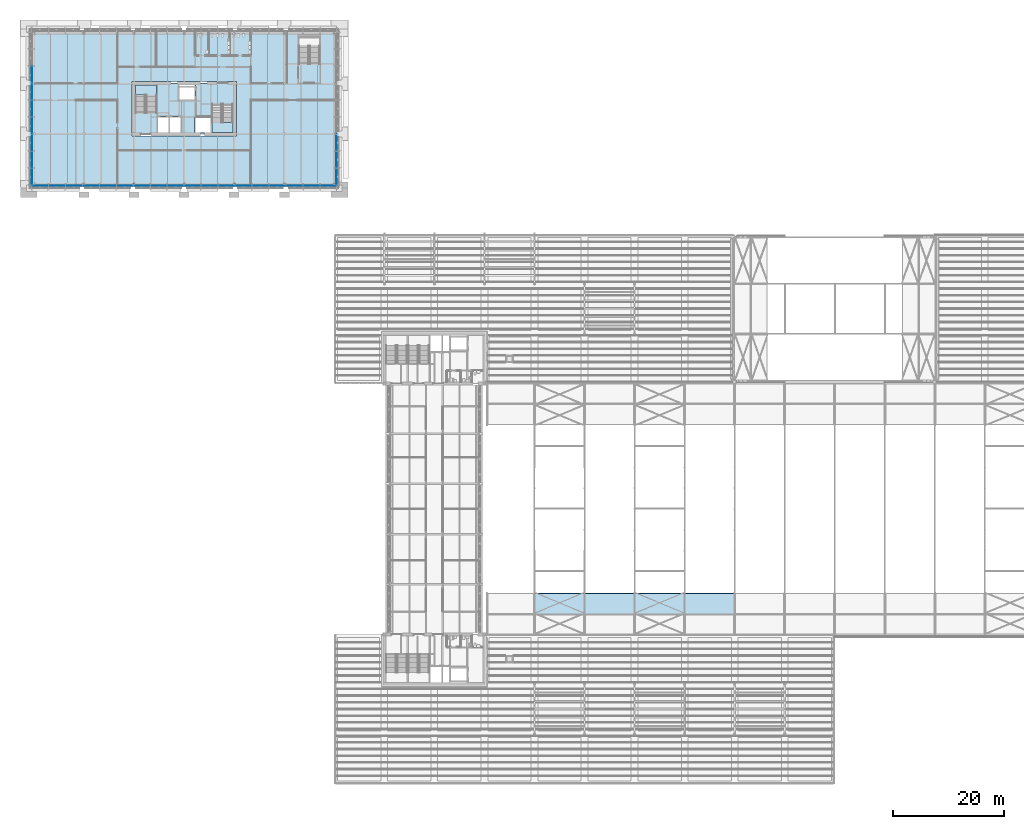
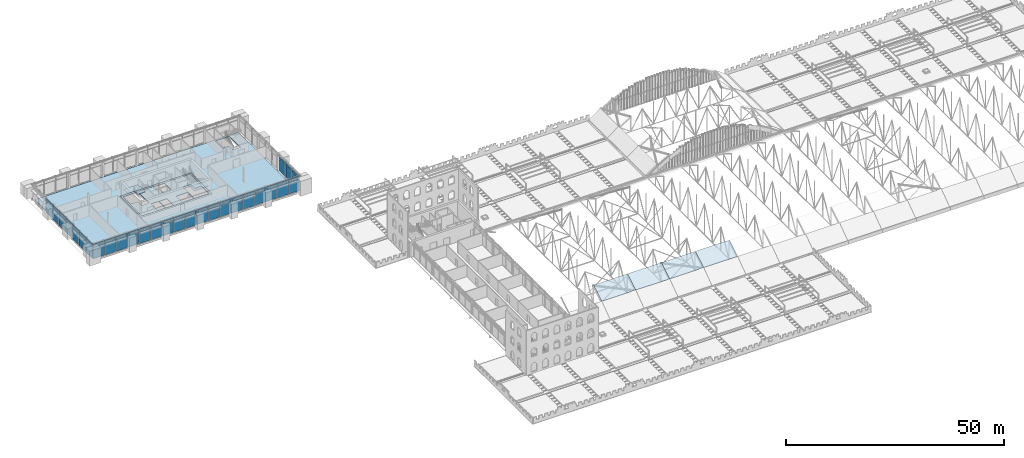
# One storey, part 93 of 153: 56 plates, 8 slabs, 5 elements without a shape of their own.
"""IFC4 building model written with IfcOpenShell, lengths in metres."""

from ifc_helpers import new_model, si_unit, direction, frame, origin, origin_2d, place, context, subcontext, project, spatial, polyline, rectangle, outline, extrude, material, layer, layer_set, type_object, element, aggregate, save


model = new_model("IFC4")

# Units and contexts
model_context = context("Model", 3, precision=1e-05, world=origin(), true_north=direction((0.0, 1.0)))
body_context = subcontext(model_context, "Body", "Model", "MODEL_VIEW")
ifc_project = project(units=[si_unit("LENGTHUNIT", "METRE"), si_unit("AREAUNIT", "SQUARE_METRE"), si_unit("VOLUMEUNIT", "CUBIC_METRE"), si_unit("PLANEANGLEUNIT", "RADIAN"), si_unit("MASSUNIT", "GRAM", prefix="KILO")], contexts=[model_context])

# Site, building, storey
site_placement = place(None, origin())
site = spatial("IfcSite", under=ifc_project, at=site_placement, CompositionType="ELEMENT")
building_placement = place(site_placement, origin())
building = spatial("IfcBuilding", under=site, at=building_placement, Name="Baradari Gate Terminus", CompositionType="ELEMENT")
storey_placement = place(building_placement, frame((0.0, 0.0, 11.699951171875)))
storey = spatial("IfcBuildingStorey", under=building, at=storey_placement, Name="L02", CompositionType="ELEMENT", Elevation=11.699951171875)

# Slabs
ifc_material_1 = material(Name="Concrete C35/45", Category="concrete")
ifc_layer_1 = layer(ifc_material_1, 0.1298828125)
ifc_layer_set_1 = layer_set([ifc_layer_1], Name="Concrete C35/45")
slab_type_1 = type_object("IfcSlabType", Name="Composite floor slab SL1 130", PredefinedType="FLOOR", material=ifc_layer_set_1)
slab_1_placement = place(storey_placement, frame((0.0, 0.0, -0.1298828125)))
element("IfcSlab", 1, at=slab_1_placement, inside=storey, type_object=slab_type_1, Name="Block floor", PredefinedType="FLOOR", context=body_context, shape_type="SweptSolid", body=[
    extrude(outline(polyline([(63.0, 117.0), (63.0, 144.0), (9.0, 144.0), (9.0, 117.0), (63.0, 117.0)]), holes=[polyline([(56.60009765625, 143.60009765625), (56.60009765625, 140.320068359375), (58.39990234375, 140.320068359375), (58.39990234375, 138.5), (60.39990234375, 138.5), (60.39990234375, 143.60009765625), (56.60009765625, 143.60009765625)]), polyline([(45.375, 134.77490234375), (45.375, 135.375), (26.625, 135.375), (26.625, 134.77490234375), (26.625, 126.22509765625), (26.625, 125.625), (45.375, 125.625), (45.375, 126.22509765625), (45.375, 134.77490234375)])]), origin(), (0.0, 0.0, 1.0), 0.1298828125),
])
slab_2_placement = place(storey_placement, frame((0.0, 0.0, -0.1298828125)))
element("IfcSlab", 2, at=slab_2_placement, inside=storey, type_object=slab_type_1, Name="Core floor CT", PredefinedType="FLOOR", context=body_context, shape_type="SweptSolid", body=[
    extrude(outline(polyline([(27.0, 135.0), (27.0, 126.0), (45.0, 126.0), (45.0, 135.0), (27.0, 135.0)]), holes=[polyline([(44.77490234375, 126.22509765625), (44.77490234375, 129.5048828125), (42.97509765625, 129.5048828125), (42.97509765625, 131.324951171875), (40.97509765625, 131.324951171875), (40.97509765625, 126.22509765625), (44.77490234375, 126.22509765625)]), polyline([(40.77490234375, 128.925048828125), (37.824951171875, 128.925048828125), (37.824951171875, 126.22509765625), (40.77490234375, 126.22509765625), (40.77490234375, 128.925048828125)]), polyline([(38.02490234375, 131.875), (38.02490234375, 134.77490234375), (35.125, 134.77490234375), (35.125, 131.875), (38.02490234375, 131.875)]), polyline([(35.425048828125, 129.125), (33.425048828125, 129.125), (33.425048828125, 126.22509765625), (35.425048828125, 126.22509765625), (35.425048828125, 129.125)]), polyline([(31.22509765625, 129.125), (31.22509765625, 126.22509765625), (33.22509765625, 126.22509765625), (33.22509765625, 129.125), (31.22509765625, 129.125)]), polyline([(27.22509765625, 134.77490234375), (27.22509765625, 131.4951171875), (29.02490234375, 131.4951171875), (29.02490234375, 129.675048828125), (31.02490234375, 129.675048828125), (31.02490234375, 134.77490234375), (27.22509765625, 134.77490234375)])]), origin(), (0.0, 0.0, 1.0), 0.1298828125),
])

# Curtain wall, plates
ifc_material_2 = material(Name="Aluminium 6063-T6", Category="aluminium")
curtain_wall_type = type_object("IfcCurtainWallType", Name="Curtain wall CW-1 block unitised, zone L02-L05", PredefinedType="NOTDEFINED", material=ifc_material_2)
curtain_wall_1_placement = place(storey_placement, origin())
curtain_wall_1 = element("IfcCurtainWall", 3, at=curtain_wall_1_placement, inside=storey, type_object=curtain_wall_type, Name="Curtain wall CW-1 Operations block S face L02", PredefinedType="NOTDEFINED")
ifc_material_3 = material(Name="Insulating glass unit", Category="glass")
ifc_layer_2 = layer(ifc_material_3, 0.030029296875)
ifc_layer_set_2 = layer_set([ifc_layer_2], Name="Insulating glass unit")
plate_type_1 = type_object("IfcPlateType", Name="Curtain wall glazing unit CP-1 30", PredefinedType="CURTAIN_PANEL", material=ifc_layer_set_2)
plate_1_placement = place(storey_placement, frame((10.072265625, 116.6298828125, 0.06494140625), z_axis=(0.0, 0.0, 1.0), x_axis=(1.0, 0.0, 0.0)))
plate_1 = element("IfcPlate", 4, at=plate_1_placement, type_object=plate_type_1, Name="CW-1 panel 1.1", PredefinedType="CURTAIN_PANEL", context=body_context, shape_type="SweptSolid", body=[
    extrude(rectangle(XDim=2.954833984375, YDim=0.030029296875, at=origin_2d()), origin(), (0.0, 0.0, 1.0), 3.202392578125),
])
plate_2_placement = place(storey_placement, frame((13.1083984375, 116.6298828125, 0.06494140625), z_axis=(0.0, 0.0, 1.0), x_axis=(1.0, 0.0, 0.0)))
plate_2 = element("IfcPlate", 5, at=plate_2_placement, type_object=plate_type_1, Name="CW-1 panel 2.1", PredefinedType="CURTAIN_PANEL", context=body_context, shape_type="SweptSolid", body=[
    extrude(rectangle(XDim=2.9873046875, YDim=0.030029296875, at=origin_2d()), origin(), (0.0, 0.0, 1.0), 3.202392578125),
])
plate_3_placement = place(storey_placement, frame((16.16064453125, 116.6298828125, 0.06494140625), z_axis=(0.0, 0.0, 1.0), x_axis=(1.0, 0.0, 0.0)))
plate_3 = element("IfcPlate", 6, at=plate_3_placement, type_object=plate_type_1, Name="CW-1 panel 3.1", PredefinedType="CURTAIN_PANEL", context=body_context, shape_type="SweptSolid", body=[
    extrude(rectangle(XDim=2.9873046875, YDim=0.030029296875, at=origin_2d()), origin(), (0.0, 0.0, 1.0), 3.202392578125),
])
plate_4_placement = place(storey_placement, frame((19.212890625, 116.6298828125, 0.06494140625), z_axis=(0.0, 0.0, 1.0), x_axis=(1.0, 0.0, 0.0)))
plate_4 = element("IfcPlate", 7, at=plate_4_placement, type_object=plate_type_1, Name="CW-1 panel 4.1", PredefinedType="CURTAIN_PANEL", context=body_context, shape_type="SweptSolid", body=[
    extrude(rectangle(XDim=2.9873046875, YDim=0.030029296875, at=origin_2d()), origin(), (0.0, 0.0, 1.0), 3.202392578125),
])
plate_5_placement = place(storey_placement, frame((22.264892578125, 116.6298828125, 0.06494140625), z_axis=(0.0, 0.0, 1.0), x_axis=(1.0, 0.0, 0.0)))
plate_5 = element("IfcPlate", 8, at=plate_5_placement, type_object=plate_type_1, Name="CW-1 panel 5.1", PredefinedType="CURTAIN_PANEL", context=body_context, shape_type="SweptSolid", body=[
    extrude(rectangle(XDim=2.9873046875, YDim=0.030029296875, at=origin_2d()), origin(), (0.0, 0.0, 1.0), 3.202392578125),
])
plate_6_placement = place(storey_placement, frame((25.317138671875, 116.6298828125, 0.06494140625), z_axis=(0.0, 0.0, 1.0), x_axis=(1.0, 0.0, 0.0)))
plate_6 = element("IfcPlate", 9, at=plate_6_placement, type_object=plate_type_1, Name="CW-1 panel 6.1", PredefinedType="CURTAIN_PANEL", context=body_context, shape_type="SweptSolid", body=[
    extrude(rectangle(XDim=2.9873046875, YDim=0.030029296875, at=origin_2d()), origin(), (0.0, 0.0, 1.0), 3.202392578125),
])
plate_7_placement = place(storey_placement, frame((28.369384765625, 116.6298828125, 0.06494140625), z_axis=(0.0, 0.0, 1.0), x_axis=(1.0, 0.0, 0.0)))
plate_7 = element("IfcPlate", 10, at=plate_7_placement, type_object=plate_type_1, Name="CW-1 panel 7.1", PredefinedType="CURTAIN_PANEL", context=body_context, shape_type="SweptSolid", body=[
    extrude(rectangle(XDim=2.9873046875, YDim=0.030029296875, at=origin_2d()), origin(), (0.0, 0.0, 1.0), 3.202392578125),
])
plate_8_placement = place(storey_placement, frame((31.421630859375, 116.6298828125, 0.06494140625), z_axis=(0.0, 0.0, 1.0), x_axis=(1.0, 0.0, 0.0)))
plate_8 = element("IfcPlate", 11, at=plate_8_placement, type_object=plate_type_1, Name="CW-1 panel 8.1", PredefinedType="CURTAIN_PANEL", context=body_context, shape_type="SweptSolid", body=[
    extrude(rectangle(XDim=2.9873046875, YDim=0.030029296875, at=origin_2d()), origin(), (0.0, 0.0, 1.0), 3.202392578125),
])
plate_9_placement = place(storey_placement, frame((34.473876953125, 116.6298828125, 0.06494140625), z_axis=(0.0, 0.0, 1.0), x_axis=(1.0, 0.0, 0.0)))
plate_9 = element("IfcPlate", 12, at=plate_9_placement, type_object=plate_type_1, Name="CW-1 panel 9.1", PredefinedType="CURTAIN_PANEL", context=body_context, shape_type="SweptSolid", body=[
    extrude(rectangle(XDim=2.9873046875, YDim=0.030029296875, at=origin_2d()), origin(), (0.0, 0.0, 1.0), 3.202392578125),
])
plate_10_placement = place(storey_placement, frame((37.526123046875, 116.6298828125, 0.06494140625), z_axis=(0.0, 0.0, 1.0), x_axis=(1.0, 0.0, 0.0)))
plate_10 = element("IfcPlate", 13, at=plate_10_placement, type_object=plate_type_1, Name="CW-1 panel 10.1", PredefinedType="CURTAIN_PANEL", context=body_context, shape_type="SweptSolid", body=[
    extrude(rectangle(XDim=2.9873046875, YDim=0.030029296875, at=origin_2d()), origin(), (0.0, 0.0, 1.0), 3.202392578125),
])
plate_11_placement = place(storey_placement, frame((40.578369140625, 116.6298828125, 0.06494140625), z_axis=(0.0, 0.0, 1.0), x_axis=(1.0, 0.0, 0.0)))
plate_11 = element("IfcPlate", 14, at=plate_11_placement, type_object=plate_type_1, Name="CW-1 panel 11.1", PredefinedType="CURTAIN_PANEL", context=body_context, shape_type="SweptSolid", body=[
    extrude(rectangle(XDim=2.9873046875, YDim=0.030029296875, at=origin_2d()), origin(), (0.0, 0.0, 1.0), 3.202392578125),
])
plate_12_placement = place(storey_placement, frame((43.630615234375, 116.6298828125, 0.06494140625), z_axis=(0.0, 0.0, 1.0), x_axis=(1.0, 0.0, 0.0)))
plate_12 = element("IfcPlate", 15, at=plate_12_placement, type_object=plate_type_1, Name="CW-1 panel 12.1", PredefinedType="CURTAIN_PANEL", context=body_context, shape_type="SweptSolid", body=[
    extrude(rectangle(XDim=2.9873046875, YDim=0.030029296875, at=origin_2d()), origin(), (0.0, 0.0, 1.0), 3.202392578125),
])
plate_13_placement = place(storey_placement, frame((46.682861328125, 116.6298828125, 0.06494140625), z_axis=(0.0, 0.0, 1.0), x_axis=(1.0, 0.0, 0.0)))
plate_13 = element("IfcPlate", 16, at=plate_13_placement, type_object=plate_type_1, Name="CW-1 panel 13.1", PredefinedType="CURTAIN_PANEL", context=body_context, shape_type="SweptSolid", body=[
    extrude(rectangle(XDim=2.9873046875, YDim=0.030029296875, at=origin_2d()), origin(), (0.0, 0.0, 1.0), 3.202392578125),
])
plate_14_placement = place(storey_placement, frame((49.735107421875, 116.6298828125, 0.06494140625), z_axis=(0.0, 0.0, 1.0), x_axis=(1.0, 0.0, 0.0)))
plate_14 = element("IfcPlate", 17, at=plate_14_placement, type_object=plate_type_1, Name="CW-1 panel 14.1", PredefinedType="CURTAIN_PANEL", context=body_context, shape_type="SweptSolid", body=[
    extrude(rectangle(XDim=2.9873046875, YDim=0.030029296875, at=origin_2d()), origin(), (0.0, 0.0, 1.0), 3.202392578125),
])
plate_15_placement = place(storey_placement, frame((52.787109375, 116.6298828125, 0.06494140625), z_axis=(0.0, 0.0, 1.0), x_axis=(1.0, 0.0, 0.0)))
plate_15 = element("IfcPlate", 18, at=plate_15_placement, type_object=plate_type_1, Name="CW-1 panel 15.1", PredefinedType="CURTAIN_PANEL", context=body_context, shape_type="SweptSolid", body=[
    extrude(rectangle(XDim=2.9873046875, YDim=0.030029296875, at=origin_2d()), origin(), (0.0, 0.0, 1.0), 3.202392578125),
])
plate_16_placement = place(storey_placement, frame((55.83935546875, 116.6298828125, 0.06494140625), z_axis=(0.0, 0.0, 1.0), x_axis=(1.0, 0.0, 0.0)))
plate_16 = element("IfcPlate", 19, at=plate_16_placement, type_object=plate_type_1, Name="CW-1 panel 16.1", PredefinedType="CURTAIN_PANEL", context=body_context, shape_type="SweptSolid", body=[
    extrude(rectangle(XDim=2.9873046875, YDim=0.030029296875, at=origin_2d()), origin(), (0.0, 0.0, 1.0), 3.202392578125),
])
plate_17_placement = place(storey_placement, frame((58.8916015625, 116.6298828125, 0.06494140625), z_axis=(0.0, 0.0, 1.0), x_axis=(1.0, 0.0, 0.0)))
plate_17 = element("IfcPlate", 20, at=plate_17_placement, type_object=plate_type_1, Name="CW-1 panel 17.1", PredefinedType="CURTAIN_PANEL", context=body_context, shape_type="SweptSolid", body=[
    extrude(rectangle(XDim=2.9873046875, YDim=0.030029296875, at=origin_2d()), origin(), (0.0, 0.0, 1.0), 3.202392578125),
])
plate_18_placement = place(storey_placement, frame((61.927734375, 116.6298828125, 0.06494140625), z_axis=(0.0, 0.0, 1.0), x_axis=(1.0, 0.0, 0.0)))
plate_18 = element("IfcPlate", 21, at=plate_18_placement, type_object=plate_type_1, Name="CW-1 panel 18.1", PredefinedType="CURTAIN_PANEL", context=body_context, shape_type="SweptSolid", body=[
    extrude(rectangle(XDim=2.954833984375, YDim=0.030029296875, at=origin_2d()), origin(), (0.0, 0.0, 1.0), 3.202392578125),
])

curtain_wall_2_placement = place(storey_placement, origin())
curtain_wall_2 = element("IfcCurtainWall", 22, at=curtain_wall_2_placement, inside=storey, type_object=curtain_wall_type, Name="Curtain wall CW-1 Operations block W face L02", PredefinedType="NOTDEFINED")
plate_19_placement = place(storey_placement, frame((8.6298828125, 118.2763671875, 0.06494140625), z_axis=(0.0, 0.0, 1.0), x_axis=(0.0, 1.0, 0.0)))
plate_19 = element("IfcPlate", 23, at=plate_19_placement, type_object=plate_type_1, Name="CW-1 panel 1.1", PredefinedType="CURTAIN_PANEL", context=body_context, shape_type="SweptSolid", body=[
    extrude(rectangle(XDim=2.96240234375, YDim=0.030029296875, at=origin_2d()), origin(), (0.0, 0.0, 1.0), 3.202392578125),
])
plate_20_placement = place(storey_placement, frame((8.6298828125, 121.320068359375, 0.06494140625), z_axis=(0.0, 0.0, 1.0), x_axis=(0.0, 1.0, 0.0)))
plate_20 = element("IfcPlate", 24, at=plate_20_placement, type_object=plate_type_1, Name="CW-1 panel 2.1", PredefinedType="CURTAIN_PANEL", context=body_context, shape_type="SweptSolid", body=[
    extrude(rectangle(XDim=2.9951171875, YDim=0.030029296875, at=origin_2d()), origin(), (0.0, 0.0, 1.0), 3.202392578125),
])
plate_21_placement = place(storey_placement, frame((8.6298828125, 124.3798828125, 0.06494140625), z_axis=(0.0, 0.0, 1.0), x_axis=(0.0, 1.0, 0.0)))
plate_21 = element("IfcPlate", 25, at=plate_21_placement, type_object=plate_type_1, Name="CW-1 panel 3.1", PredefinedType="CURTAIN_PANEL", context=body_context, shape_type="SweptSolid", body=[
    extrude(rectangle(XDim=2.9951171875, YDim=0.030029296875, at=origin_2d()), origin(), (0.0, 0.0, 1.0), 3.202392578125),
])
plate_22_placement = place(storey_placement, frame((8.6298828125, 127.43994140625, 0.06494140625), z_axis=(0.0, 0.0, 1.0), x_axis=(0.0, 1.0, 0.0)))
plate_22 = element("IfcPlate", 26, at=plate_22_placement, type_object=plate_type_1, Name="CW-1 panel 4.1", PredefinedType="CURTAIN_PANEL", context=body_context, shape_type="SweptSolid", body=[
    extrude(rectangle(XDim=2.9951171875, YDim=0.030029296875, at=origin_2d()), origin(), (0.0, 0.0, 1.0), 3.202392578125),
])
plate_23_placement = place(storey_placement, frame((8.6298828125, 130.5, 0.06494140625), z_axis=(0.0, 0.0, 1.0), x_axis=(0.0, 1.0, 0.0)))
plate_23 = element("IfcPlate", 27, at=plate_23_placement, type_object=plate_type_1, Name="CW-1 panel 5.1", PredefinedType="CURTAIN_PANEL", context=body_context, shape_type="SweptSolid", body=[
    extrude(rectangle(XDim=2.9951171875, YDim=0.030029296875, at=origin_2d()), origin(), (0.0, 0.0, 1.0), 3.202392578125),
])
plate_24_placement = place(storey_placement, frame((8.6298828125, 133.56005859375, 0.06494140625), z_axis=(0.0, 0.0, 1.0), x_axis=(0.0, 1.0, 0.0)))
plate_24 = element("IfcPlate", 28, at=plate_24_placement, type_object=plate_type_1, Name="CW-1 panel 6.1", PredefinedType="CURTAIN_PANEL", context=body_context, shape_type="SweptSolid", body=[
    extrude(rectangle(XDim=2.9951171875, YDim=0.030029296875, at=origin_2d()), origin(), (0.0, 0.0, 1.0), 3.202392578125),
])
plate_25_placement = place(storey_placement, frame((8.6298828125, 136.6201171875, 0.06494140625), z_axis=(0.0, 0.0, 1.0), x_axis=(0.0, 1.0, 0.0)))
plate_25 = element("IfcPlate", 29, at=plate_25_placement, type_object=plate_type_1, Name="CW-1 panel 7.1", PredefinedType="CURTAIN_PANEL", context=body_context, shape_type="SweptSolid", body=[
    extrude(rectangle(XDim=2.9951171875, YDim=0.030029296875, at=origin_2d()), origin(), (0.0, 0.0, 1.0), 3.202392578125),
])

curtain_wall_3_placement = place(storey_placement, origin())
curtain_wall_3 = element("IfcCurtainWall", 30, at=curtain_wall_3_placement, inside=storey, type_object=curtain_wall_type, Name="Curtain wall CW-1 Operations block E face L02", PredefinedType="NOTDEFINED")
plate_26_placement = place(storey_placement, frame((63.3701171875, 118.2763671875, 0.06494140625), z_axis=(0.0, 0.0, 1.0), x_axis=(0.0, 1.0, 0.0)))
plate_26 = element("IfcPlate", 31, at=plate_26_placement, type_object=plate_type_1, Name="CW-1 panel 1.1", PredefinedType="CURTAIN_PANEL", context=body_context, shape_type="SweptSolid", body=[
    extrude(rectangle(XDim=2.96240234375, YDim=0.030029296875, at=origin_2d()), origin(), (0.0, 0.0, 1.0), 3.202392578125),
])
plate_27_placement = place(storey_placement, frame((63.3701171875, 121.320068359375, 0.06494140625), z_axis=(0.0, 0.0, 1.0), x_axis=(0.0, 1.0, 0.0)))
plate_27 = element("IfcPlate", 32, at=plate_27_placement, type_object=plate_type_1, Name="CW-1 panel 2.1", PredefinedType="CURTAIN_PANEL", context=body_context, shape_type="SweptSolid", body=[
    extrude(rectangle(XDim=2.9951171875, YDim=0.030029296875, at=origin_2d()), origin(), (0.0, 0.0, 1.0), 3.202392578125),
])
plate_28_placement = place(storey_placement, frame((63.3701171875, 124.3798828125, 0.06494140625), z_axis=(0.0, 0.0, 1.0), x_axis=(0.0, 1.0, 0.0)))
plate_28 = element("IfcPlate", 33, at=plate_28_placement, type_object=plate_type_1, Name="CW-1 panel 3.1", PredefinedType="CURTAIN_PANEL", context=body_context, shape_type="SweptSolid", body=[
    extrude(rectangle(XDim=2.9951171875, YDim=0.030029296875, at=origin_2d()), origin(), (0.0, 0.0, 1.0), 3.202392578125),
])

# Plate
ifc_material_4 = material(Name="Back-painted glass", Category="glass")
ifc_layer_3 = layer(ifc_material_4, 0.070068359375)
ifc_layer_set_3 = layer_set([ifc_layer_3], Name="Back-painted glass")
plate_type_2 = type_object("IfcPlateType", Name="Curtain wall spandrel panel CP-S1 70", PredefinedType="CURTAIN_PANEL", material=ifc_layer_set_3)
plate_29_placement = place(storey_placement, frame((10.072265625, 116.6298828125, 3.33251953125), z_axis=(0.0, 0.0, 1.0), x_axis=(1.0, 0.0, 0.0)))
plate_29 = element("IfcPlate", 34, at=plate_29_placement, type_object=plate_type_2, Name="CW-1 spandrel panel 1.2", PredefinedType="CURTAIN_PANEL", context=body_context, shape_type="SweptSolid", body=[
    extrude(rectangle(XDim=2.954833984375, YDim=0.070068359375, at=origin_2d()), origin(), (0.0, 0.0, 1.0), 0.802490234375),
])

plate_30_placement = place(storey_placement, frame((13.1083984375, 116.6298828125, 3.33251953125), z_axis=(0.0, 0.0, 1.0), x_axis=(1.0, 0.0, 0.0)))
plate_30 = element("IfcPlate", 35, at=plate_30_placement, type_object=plate_type_2, Name="CW-1 spandrel panel 2.2", PredefinedType="CURTAIN_PANEL", context=body_context, shape_type="SweptSolid", body=[
    extrude(rectangle(XDim=2.9873046875, YDim=0.070068359375, at=origin_2d()), origin(), (0.0, 0.0, 1.0), 0.802490234375),
])

plate_31_placement = place(storey_placement, frame((16.16064453125, 116.6298828125, 3.33251953125), z_axis=(0.0, 0.0, 1.0), x_axis=(1.0, 0.0, 0.0)))
plate_31 = element("IfcPlate", 36, at=plate_31_placement, type_object=plate_type_2, Name="CW-1 spandrel panel 3.2", PredefinedType="CURTAIN_PANEL", context=body_context, shape_type="SweptSolid", body=[
    extrude(rectangle(XDim=2.9873046875, YDim=0.070068359375, at=origin_2d()), origin(), (0.0, 0.0, 1.0), 0.802490234375),
])

plate_32_placement = place(storey_placement, frame((19.212890625, 116.6298828125, 3.33251953125), z_axis=(0.0, 0.0, 1.0), x_axis=(1.0, 0.0, 0.0)))
plate_32 = element("IfcPlate", 37, at=plate_32_placement, type_object=plate_type_2, Name="CW-1 spandrel panel 4.2", PredefinedType="CURTAIN_PANEL", context=body_context, shape_type="SweptSolid", body=[
    extrude(rectangle(XDim=2.9873046875, YDim=0.070068359375, at=origin_2d()), origin(), (0.0, 0.0, 1.0), 0.802490234375),
])

plate_33_placement = place(storey_placement, frame((22.264892578125, 116.6298828125, 3.33251953125), z_axis=(0.0, 0.0, 1.0), x_axis=(1.0, 0.0, 0.0)))
plate_33 = element("IfcPlate", 38, at=plate_33_placement, type_object=plate_type_2, Name="CW-1 spandrel panel 5.2", PredefinedType="CURTAIN_PANEL", context=body_context, shape_type="SweptSolid", body=[
    extrude(rectangle(XDim=2.9873046875, YDim=0.070068359375, at=origin_2d()), origin(), (0.0, 0.0, 1.0), 0.802490234375),
])

plate_34_placement = place(storey_placement, frame((25.317138671875, 116.6298828125, 3.33251953125), z_axis=(0.0, 0.0, 1.0), x_axis=(1.0, 0.0, 0.0)))
plate_34 = element("IfcPlate", 39, at=plate_34_placement, type_object=plate_type_2, Name="CW-1 spandrel panel 6.2", PredefinedType="CURTAIN_PANEL", context=body_context, shape_type="SweptSolid", body=[
    extrude(rectangle(XDim=2.9873046875, YDim=0.070068359375, at=origin_2d()), origin(), (0.0, 0.0, 1.0), 0.802490234375),
])

plate_35_placement = place(storey_placement, frame((28.369384765625, 116.6298828125, 3.33251953125), z_axis=(0.0, 0.0, 1.0), x_axis=(1.0, 0.0, 0.0)))
plate_35 = element("IfcPlate", 40, at=plate_35_placement, type_object=plate_type_2, Name="CW-1 spandrel panel 7.2", PredefinedType="CURTAIN_PANEL", context=body_context, shape_type="SweptSolid", body=[
    extrude(rectangle(XDim=2.9873046875, YDim=0.070068359375, at=origin_2d()), origin(), (0.0, 0.0, 1.0), 0.802490234375),
])

plate_36_placement = place(storey_placement, frame((31.421630859375, 116.6298828125, 3.33251953125), z_axis=(0.0, 0.0, 1.0), x_axis=(1.0, 0.0, 0.0)))
plate_36 = element("IfcPlate", 41, at=plate_36_placement, type_object=plate_type_2, Name="CW-1 spandrel panel 8.2", PredefinedType="CURTAIN_PANEL", context=body_context, shape_type="SweptSolid", body=[
    extrude(rectangle(XDim=2.9873046875, YDim=0.070068359375, at=origin_2d()), origin(), (0.0, 0.0, 1.0), 0.802490234375),
])

plate_37_placement = place(storey_placement, frame((34.473876953125, 116.6298828125, 3.33251953125), z_axis=(0.0, 0.0, 1.0), x_axis=(1.0, 0.0, 0.0)))
plate_37 = element("IfcPlate", 42, at=plate_37_placement, type_object=plate_type_2, Name="CW-1 spandrel panel 9.2", PredefinedType="CURTAIN_PANEL", context=body_context, shape_type="SweptSolid", body=[
    extrude(rectangle(XDim=2.9873046875, YDim=0.070068359375, at=origin_2d()), origin(), (0.0, 0.0, 1.0), 0.802490234375),
])

plate_38_placement = place(storey_placement, frame((37.526123046875, 116.6298828125, 3.33251953125), z_axis=(0.0, 0.0, 1.0), x_axis=(1.0, 0.0, 0.0)))
plate_38 = element("IfcPlate", 43, at=plate_38_placement, type_object=plate_type_2, Name="CW-1 spandrel panel 10.2", PredefinedType="CURTAIN_PANEL", context=body_context, shape_type="SweptSolid", body=[
    extrude(rectangle(XDim=2.9873046875, YDim=0.070068359375, at=origin_2d()), origin(), (0.0, 0.0, 1.0), 0.802490234375),
])

plate_39_placement = place(storey_placement, frame((40.578369140625, 116.6298828125, 3.33251953125), z_axis=(0.0, 0.0, 1.0), x_axis=(1.0, 0.0, 0.0)))
plate_39 = element("IfcPlate", 44, at=plate_39_placement, type_object=plate_type_2, Name="CW-1 spandrel panel 11.2", PredefinedType="CURTAIN_PANEL", context=body_context, shape_type="SweptSolid", body=[
    extrude(rectangle(XDim=2.9873046875, YDim=0.070068359375, at=origin_2d()), origin(), (0.0, 0.0, 1.0), 0.802490234375),
])

plate_40_placement = place(storey_placement, frame((43.630615234375, 116.6298828125, 3.33251953125), z_axis=(0.0, 0.0, 1.0), x_axis=(1.0, 0.0, 0.0)))
plate_40 = element("IfcPlate", 45, at=plate_40_placement, type_object=plate_type_2, Name="CW-1 spandrel panel 12.2", PredefinedType="CURTAIN_PANEL", context=body_context, shape_type="SweptSolid", body=[
    extrude(rectangle(XDim=2.9873046875, YDim=0.070068359375, at=origin_2d()), origin(), (0.0, 0.0, 1.0), 0.802490234375),
])

plate_41_placement = place(storey_placement, frame((46.682861328125, 116.6298828125, 3.33251953125), z_axis=(0.0, 0.0, 1.0), x_axis=(1.0, 0.0, 0.0)))
plate_41 = element("IfcPlate", 46, at=plate_41_placement, type_object=plate_type_2, Name="CW-1 spandrel panel 13.2", PredefinedType="CURTAIN_PANEL", context=body_context, shape_type="SweptSolid", body=[
    extrude(rectangle(XDim=2.9873046875, YDim=0.070068359375, at=origin_2d()), origin(), (0.0, 0.0, 1.0), 0.802490234375),
])

plate_42_placement = place(storey_placement, frame((49.735107421875, 116.6298828125, 3.33251953125), z_axis=(0.0, 0.0, 1.0), x_axis=(1.0, 0.0, 0.0)))
plate_42 = element("IfcPlate", 47, at=plate_42_placement, type_object=plate_type_2, Name="CW-1 spandrel panel 14.2", PredefinedType="CURTAIN_PANEL", context=body_context, shape_type="SweptSolid", body=[
    extrude(rectangle(XDim=2.9873046875, YDim=0.070068359375, at=origin_2d()), origin(), (0.0, 0.0, 1.0), 0.802490234375),
])

plate_43_placement = place(storey_placement, frame((52.787109375, 116.6298828125, 3.33251953125), z_axis=(0.0, 0.0, 1.0), x_axis=(1.0, 0.0, 0.0)))
plate_43 = element("IfcPlate", 48, at=plate_43_placement, type_object=plate_type_2, Name="CW-1 spandrel panel 15.2", PredefinedType="CURTAIN_PANEL", context=body_context, shape_type="SweptSolid", body=[
    extrude(rectangle(XDim=2.9873046875, YDim=0.070068359375, at=origin_2d()), origin(), (0.0, 0.0, 1.0), 0.802490234375),
])

plate_44_placement = place(storey_placement, frame((55.83935546875, 116.6298828125, 3.33251953125), z_axis=(0.0, 0.0, 1.0), x_axis=(1.0, 0.0, 0.0)))
plate_44 = element("IfcPlate", 49, at=plate_44_placement, type_object=plate_type_2, Name="CW-1 spandrel panel 16.2", PredefinedType="CURTAIN_PANEL", context=body_context, shape_type="SweptSolid", body=[
    extrude(rectangle(XDim=2.9873046875, YDim=0.070068359375, at=origin_2d()), origin(), (0.0, 0.0, 1.0), 0.802490234375),
])

plate_45_placement = place(storey_placement, frame((58.8916015625, 116.6298828125, 3.33251953125), z_axis=(0.0, 0.0, 1.0), x_axis=(1.0, 0.0, 0.0)))
plate_45 = element("IfcPlate", 50, at=plate_45_placement, type_object=plate_type_2, Name="CW-1 spandrel panel 17.2", PredefinedType="CURTAIN_PANEL", context=body_context, shape_type="SweptSolid", body=[
    extrude(rectangle(XDim=2.9873046875, YDim=0.070068359375, at=origin_2d()), origin(), (0.0, 0.0, 1.0), 0.802490234375),
])

plate_46_placement = place(storey_placement, frame((61.927734375, 116.6298828125, 3.33251953125), z_axis=(0.0, 0.0, 1.0), x_axis=(1.0, 0.0, 0.0)))
plate_46 = element("IfcPlate", 51, at=plate_46_placement, type_object=plate_type_2, Name="CW-1 spandrel panel 18.2", PredefinedType="CURTAIN_PANEL", context=body_context, shape_type="SweptSolid", body=[
    extrude(rectangle(XDim=2.954833984375, YDim=0.070068359375, at=origin_2d()), origin(), (0.0, 0.0, 1.0), 0.802490234375),
])

aggregate(curtain_wall_1, [plate_1, plate_29, plate_2, plate_30, plate_3, plate_31, plate_4, plate_32, plate_5, plate_33, plate_6, plate_34, plate_7, plate_35, plate_8, plate_36, plate_9, plate_37, plate_10, plate_38, plate_11, plate_39, plate_12, plate_40, plate_13, plate_41, plate_14, plate_42, plate_15, plate_43, plate_16, plate_44, plate_17, plate_45, plate_18, plate_46])

plate_47_placement = place(storey_placement, frame((8.6298828125, 118.2763671875, 3.33251953125), z_axis=(0.0, 0.0, 1.0), x_axis=(0.0, 1.0, 0.0)))
plate_47 = element("IfcPlate", 52, at=plate_47_placement, type_object=plate_type_2, Name="CW-1 spandrel panel 1.2", PredefinedType="CURTAIN_PANEL", context=body_context, shape_type="SweptSolid", body=[
    extrude(rectangle(XDim=2.96240234375, YDim=0.070068359375, at=origin_2d()), origin(), (0.0, 0.0, 1.0), 0.802490234375),
])

plate_48_placement = place(storey_placement, frame((8.6298828125, 121.320068359375, 3.33251953125), z_axis=(0.0, 0.0, 1.0), x_axis=(0.0, 1.0, 0.0)))
plate_48 = element("IfcPlate", 53, at=plate_48_placement, type_object=plate_type_2, Name="CW-1 spandrel panel 2.2", PredefinedType="CURTAIN_PANEL", context=body_context, shape_type="SweptSolid", body=[
    extrude(rectangle(XDim=2.9951171875, YDim=0.070068359375, at=origin_2d()), origin(), (0.0, 0.0, 1.0), 0.802490234375),
])

plate_49_placement = place(storey_placement, frame((8.6298828125, 124.3798828125, 3.33251953125), z_axis=(0.0, 0.0, 1.0), x_axis=(0.0, 1.0, 0.0)))
plate_49 = element("IfcPlate", 54, at=plate_49_placement, type_object=plate_type_2, Name="CW-1 spandrel panel 3.2", PredefinedType="CURTAIN_PANEL", context=body_context, shape_type="SweptSolid", body=[
    extrude(rectangle(XDim=2.9951171875, YDim=0.070068359375, at=origin_2d()), origin(), (0.0, 0.0, 1.0), 0.802490234375),
])

plate_50_placement = place(storey_placement, frame((8.6298828125, 127.43994140625, 3.33251953125), z_axis=(0.0, 0.0, 1.0), x_axis=(0.0, 1.0, 0.0)))
plate_50 = element("IfcPlate", 55, at=plate_50_placement, type_object=plate_type_2, Name="CW-1 spandrel panel 4.2", PredefinedType="CURTAIN_PANEL", context=body_context, shape_type="SweptSolid", body=[
    extrude(rectangle(XDim=2.9951171875, YDim=0.070068359375, at=origin_2d()), origin(), (0.0, 0.0, 1.0), 0.802490234375),
])

plate_51_placement = place(storey_placement, frame((8.6298828125, 130.5, 3.33251953125), z_axis=(0.0, 0.0, 1.0), x_axis=(0.0, 1.0, 0.0)))
plate_51 = element("IfcPlate", 56, at=plate_51_placement, type_object=plate_type_2, Name="CW-1 spandrel panel 5.2", PredefinedType="CURTAIN_PANEL", context=body_context, shape_type="SweptSolid", body=[
    extrude(rectangle(XDim=2.9951171875, YDim=0.070068359375, at=origin_2d()), origin(), (0.0, 0.0, 1.0), 0.802490234375),
])

plate_52_placement = place(storey_placement, frame((8.6298828125, 133.56005859375, 3.33251953125), z_axis=(0.0, 0.0, 1.0), x_axis=(0.0, 1.0, 0.0)))
plate_52 = element("IfcPlate", 57, at=plate_52_placement, type_object=plate_type_2, Name="CW-1 spandrel panel 6.2", PredefinedType="CURTAIN_PANEL", context=body_context, shape_type="SweptSolid", body=[
    extrude(rectangle(XDim=2.9951171875, YDim=0.070068359375, at=origin_2d()), origin(), (0.0, 0.0, 1.0), 0.802490234375),
])

plate_53_placement = place(storey_placement, frame((8.6298828125, 136.6201171875, 3.33251953125), z_axis=(0.0, 0.0, 1.0), x_axis=(0.0, 1.0, 0.0)))
plate_53 = element("IfcPlate", 58, at=plate_53_placement, type_object=plate_type_2, Name="CW-1 spandrel panel 7.2", PredefinedType="CURTAIN_PANEL", context=body_context, shape_type="SweptSolid", body=[
    extrude(rectangle(XDim=2.9951171875, YDim=0.070068359375, at=origin_2d()), origin(), (0.0, 0.0, 1.0), 0.802490234375),
])

aggregate(curtain_wall_2, [plate_19, plate_47, plate_20, plate_48, plate_21, plate_49, plate_22, plate_50, plate_23, plate_51, plate_24, plate_52, plate_25, plate_53])

plate_54_placement = place(storey_placement, frame((63.3701171875, 118.2763671875, 3.33251953125), z_axis=(0.0, 0.0, 1.0), x_axis=(0.0, 1.0, 0.0)))
plate_54 = element("IfcPlate", 59, at=plate_54_placement, type_object=plate_type_2, Name="CW-1 spandrel panel 1.2", PredefinedType="CURTAIN_PANEL", context=body_context, shape_type="SweptSolid", body=[
    extrude(rectangle(XDim=2.96240234375, YDim=0.070068359375, at=origin_2d()), origin(), (0.0, 0.0, 1.0), 0.802490234375),
])

plate_55_placement = place(storey_placement, frame((63.3701171875, 121.320068359375, 3.33251953125), z_axis=(0.0, 0.0, 1.0), x_axis=(0.0, 1.0, 0.0)))
plate_55 = element("IfcPlate", 60, at=plate_55_placement, type_object=plate_type_2, Name="CW-1 spandrel panel 2.2", PredefinedType="CURTAIN_PANEL", context=body_context, shape_type="SweptSolid", body=[
    extrude(rectangle(XDim=2.9951171875, YDim=0.070068359375, at=origin_2d()), origin(), (0.0, 0.0, 1.0), 0.802490234375),
])

plate_56_placement = place(storey_placement, frame((63.3701171875, 124.3798828125, 3.33251953125), z_axis=(0.0, 0.0, 1.0), x_axis=(0.0, 1.0, 0.0)))
plate_56 = element("IfcPlate", 61, at=plate_56_placement, type_object=plate_type_2, Name="CW-1 spandrel panel 3.2", PredefinedType="CURTAIN_PANEL", context=body_context, shape_type="SweptSolid", body=[
    extrude(rectangle(XDim=2.9951171875, YDim=0.070068359375, at=origin_2d()), origin(), (0.0, 0.0, 1.0), 0.802490234375),
])

aggregate(curtain_wall_3, [plate_26, plate_54, plate_27, plate_55, plate_28, plate_56])

# Slabs
ifc_material_5 = material(Name="Aluminium", Category="aluminium")
ifc_layer_4 = layer(ifc_material_5, 0.1201171875)
ifc_layer_set_4 = layer_set([ifc_layer_4], Name="Aluminium")
slab_type_2 = type_object("IfcSlabType", Name="Shed roof panel", PredefinedType="ROOF", material=ifc_layer_set_4)
for number, where, z_axis, x_axis, name in (
    (62, (99.0, 39.536376953125, 3.328125), (0.0, -0.513297855318, 0.85821052879), (1.0, 0.0, 0.0), "RF/L02/B108-RP01"),
    (63, (108.0, 39.536376953125, 3.328125), (0.0, -0.513297855318, 0.85821052879), (1.0, 0.0, 0.0), "RF/L02/B117-RP01"),
    (64, (117.0, 39.536376953125, 3.328125), (0.0, -0.513297855318, 0.85821052879), (1.0, 0.0, 0.0), "RF/L02/B126-RP01"),
    (65, (126.0, 39.536376953125, 3.328125), (0.0, -0.513297855318, 0.85821052879), (1.0, 0.0, 0.0), "RF/L02/B135-RP01"),
):
    element("IfcSlab", number, at=place(storey_placement, frame(where, z_axis=z_axis, x_axis=x_axis)), inside=storey, type_object=slab_type_2, Name=name, PredefinedType="ROOF", context=body_context, shape_type="SweptSolid", body=[
        extrude(outline(polyline([(0.0, 0.0), (9.0, 0.0), (9.0, 4.407677040601449), (0.0, 4.407677040601449), (0.0, 0.0)])), origin(), (0.0, 0.0, -1.0), 0.1201171875),
    ])

# Stair, slab
ifc_material_6 = material(Name="Concrete C32/40", Category="concrete")
stair_type_1 = type_object("IfcStairType", Name="Exit stair ST-T1 riser 175 x 1800", PredefinedType="HALF_TURN_STAIR", material=ifc_material_6)
stair_1_placement = place(storey_placement, origin())
stair_1 = element("IfcStair", 66, at=stair_1_placement, inside=storey, type_object=stair_type_1, Name="Stair ST-T1 L02 to L03", PredefinedType="HALF_TURN_STAIR")
ifc_material_7 = material(Name="Concrete C32/40", Category="concrete")
ifc_layer_5 = layer(ifc_material_7, 0.199951171875)
ifc_layer_set_5 = layer_set([ifc_layer_5], Name="Concrete C32/40")
slab_type_3 = type_object("IfcSlabType", Name="Stair landing LS-1 200", PredefinedType="LANDING", material=ifc_layer_set_5)
slab_3_placement = place(storey_placement, frame((0.0, 0.0, 1.900146484375)))
slab_3 = element("IfcSlab", 67, at=slab_3_placement, type_object=slab_type_3, Name="ST-T1 landing 1", PredefinedType="LANDING", context=body_context, shape_type="SweptSolid", body=[
    extrude(outline(polyline([(27.22509765625, 134.77490234375), (27.22509765625, 132.955078125), (29.02490234375, 132.955078125), (29.02490234375, 131.43994140625), (29.22509765625, 131.43994140625), (31.02490234375, 131.43994140625), (31.02490234375, 134.77490234375), (27.22509765625, 134.77490234375)])), origin(), (0.0, 0.0, 1.0), 0.199951171875),
])
aggregate(stair_1, [slab_3])

ifc_material_8 = material(Name="Concrete C32/40", Category="concrete")
stair_type_2 = type_object("IfcStairType", Name="Exit stair ST-T2 riser 175 x 1800", PredefinedType="HALF_TURN_STAIR", material=ifc_material_8)
stair_2_placement = place(storey_placement, origin())
stair_2 = element("IfcStair", 68, at=stair_2_placement, inside=storey, type_object=stair_type_2, Name="Stair ST-T2 L02 to L03", PredefinedType="HALF_TURN_STAIR")
slab_4_placement = place(storey_placement, frame((0.0, 0.0, 1.900146484375)))
slab_4 = element("IfcSlab", 69, at=slab_4_placement, type_object=slab_type_3, Name="ST-T2 landing 1", PredefinedType="LANDING", context=body_context, shape_type="SweptSolid", body=[
    extrude(outline(polyline([(44.77490234375, 126.22509765625), (44.77490234375, 128.044921875), (42.97509765625, 128.044921875), (42.97509765625, 129.56005859375), (42.77490234375, 129.56005859375), (40.97509765625, 129.56005859375), (40.97509765625, 126.22509765625), (44.77490234375, 126.22509765625)])), origin(), (0.0, 0.0, 1.0), 0.199951171875),
])
aggregate(stair_2, [slab_4])

save(model, "model.ifc")
